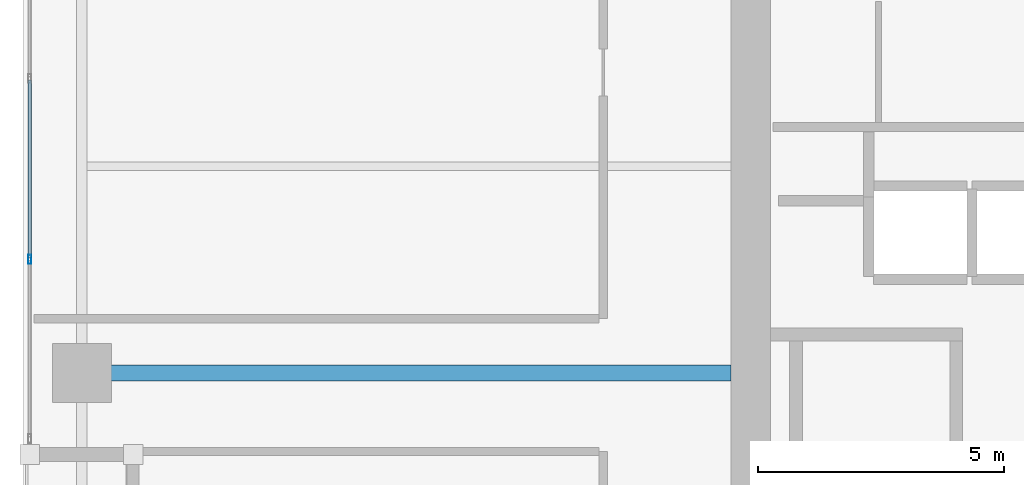
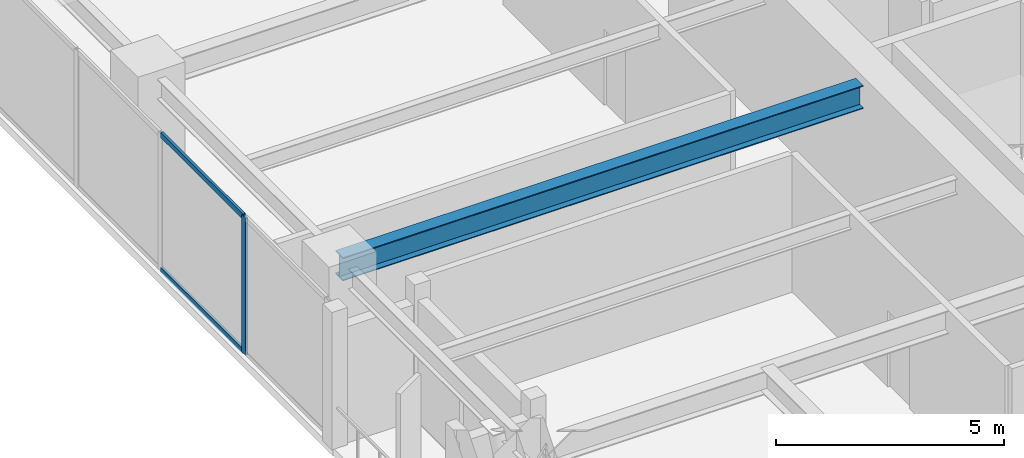
# One storey, part 4 of 30: 3 members, 1 beam, 1 element without a shape of its own.
"""IFC4 building model written with IfcOpenShell, lengths in metres."""

from ifc_helpers import new_model, si_unit, direction, frame, origin, origin_2d, place, context, subcontext, project, spatial, hollow_rectangle, i_section, extrude, material, layer, layer_set, material_profile, profile_set, type_object, element, aggregate, save


model = new_model("IFC4")

# Units and contexts
model_context = context("Model", 3, precision=1e-05, world=origin(), true_north=direction((0.0, 1.0)))
body_context = subcontext(model_context, "Body", "Model", "MODEL_VIEW")
ifc_project = project(units=[si_unit("LENGTHUNIT", "METRE"), si_unit("AREAUNIT", "SQUARE_METRE"), si_unit("VOLUMEUNIT", "CUBIC_METRE"), si_unit("PLANEANGLEUNIT", "RADIAN"), si_unit("MASSUNIT", "GRAM", prefix="KILO")], contexts=[model_context])

# Site, building, storey
site_placement = place(None, origin())
site = spatial("IfcSite", under=ifc_project, at=site_placement, CompositionType="ELEMENT")
building_placement = place(site_placement, origin())
building = spatial("IfcBuilding", under=site, at=building_placement, Name="Kiyonajd Concourse Tower", CompositionType="ELEMENT")
storey_placement = place(building_placement, frame((0.0, 0.0, 170.10009765625)))
storey = spatial("IfcBuildingStorey", under=building, at=storey_placement, Name="L43", CompositionType="ELEMENT", Elevation=170.10009765625)

# Beam
ifc_material_1 = material(Name="Steel ASTM A992 Grade 50", Category="steel")
ifc_material_profile_1 = material_profile(ifc_material_1, i_section(OverallWidth=0.326904296875, OverallDepth=0.6220703125, WebThickness=0.015380859375, FlangeThickness=0.0244140625, at=origin_2d()), Name="W610X195")
ifc_profile_set_1 = profile_set([ifc_material_profile_1], Name="Steel ASTM A992 Grade 50")
beam_type = type_object("IfcBeamType", Name="BM-TWR-610A", PredefinedType="BEAM", material=ifc_profile_set_1)
beam_placement = place(storey_placement, frame((19.199951171875, 36.0, 3.368896484375), z_axis=(1.0, 0.0, 0.0), x_axis=(0.0, 1.0, 0.0)))
element("IfcBeam", 1, at=beam_placement, inside=storey, type_object=beam_type, Name="L43 West Lease Girder", PredefinedType="BEAM", context=body_context, shape_type="SweptSolid", body=[
    extrude(i_section(OverallWidth=0.326904296875, OverallDepth=0.6220703125, WebThickness=0.015380859375, FlangeThickness=0.0244140625, at=origin_2d()), origin(), (0.0, 0.0, 1.0), 13.199951171875),
])

# Curtain wall, members
ifc_material_2 = material(Name="Thermally Broken Anodised Aluminium", Category="aluminium")
ifc_layer = layer(ifc_material_2, 0.179931640625)
ifc_layer_set = layer_set([ifc_layer], Name="Thermally Broken Anodised Aluminium")
curtain_wall_type = type_object("IfcCurtainWallType", Name="CW-SYS-03", PredefinedType="NOTDEFINED", material=ifc_layer_set)
curtain_wall_placement = place(storey_placement, origin())
curtain_wall = element("IfcCurtainWall", 2, at=curtain_wall_placement, inside=storey, type_object=curtain_wall_type, Name="L43 Unitised Curtain Wall CW3", PredefinedType="NOTDEFINED")
ifc_material_profile_2 = material_profile(ifc_material_2, hollow_rectangle(XDim=0.06494140625, YDim=0.179931640625, WallThickness=0.00390625, at=origin_2d()), Name="MULL-65x180")
ifc_profile_set_2 = profile_set([ifc_material_profile_2], Name="Thermally Broken Anodised Aluminium")
member_type_1 = type_object("IfcMemberType", Name="MB-CW-MULL1", PredefinedType="MULLION", material=ifc_profile_set_2)
member_1_placement = place(storey_placement, frame((18.139892578125, 38.306884765625, 0.0), z_axis=(0.0, 0.0, 1.0), x_axis=(-1.0, 0.0, 0.0)))
member_1 = element("IfcMember", 3, at=member_1_placement, type_object=member_type_1, Name="CW3 mullion 2", PredefinedType="MULLION", context=body_context, shape_type="SweptSolid", body=[
    extrude(hollow_rectangle(XDim=0.06494140625, YDim=0.179931640625, WallThickness=0.00390625, at=origin_2d()), origin(), (0.0, 0.0, 1.0), 3.679931640625),
])
ifc_material_profile_3 = material_profile(ifc_material_2, hollow_rectangle(XDim=0.06494140625, YDim=0.139892578125, WallThickness=0.00390625, at=origin_2d()), Name="TRAN-65x140")
ifc_profile_set_3 = profile_set([ifc_material_profile_3], Name="Thermally Broken Anodised Aluminium")
member_type_2 = type_object("IfcMemberType", Name="MB-CW-TRAN1", PredefinedType="USERDEFINED", material=ifc_profile_set_3)
member_2_placement = place(storey_placement, frame((18.139892578125, 38.33935546875, 0.032470703125), z_axis=(0.0, 1.0, 0.0), x_axis=(-1.0, 0.0, 0.0)))
member_2 = element("IfcMember", 4, at=member_2_placement, type_object=member_type_2, Name="CW3 transom 2.1", ObjectType="TRANSOM", PredefinedType="USERDEFINED", context=body_context, shape_type="SweptSolid", body=[
    extrude(hollow_rectangle(XDim=0.06494140625, YDim=0.139892578125, WallThickness=0.00390625, at=origin_2d()), origin(), (0.0, 0.0, 1.0), 3.612060546875),
])
member_3_placement = place(storey_placement, frame((18.139892578125, 38.33935546875, 3.6474609375), z_axis=(0.0, 1.0, 0.0), x_axis=(-1.0, 0.0, 0.0)))
member_3 = element("IfcMember", 5, at=member_3_placement, type_object=member_type_2, Name="CW3 transom 2.2", ObjectType="TRANSOM", PredefinedType="USERDEFINED", context=body_context, shape_type="SweptSolid", body=[
    extrude(hollow_rectangle(XDim=0.06494140625, YDim=0.139892578125, WallThickness=0.00390625, at=origin_2d()), origin(), (0.0, 0.0, 1.0), 3.612060546875),
])
aggregate(curtain_wall, [member_1, member_2, member_3])

save(model, "model.ifc")
